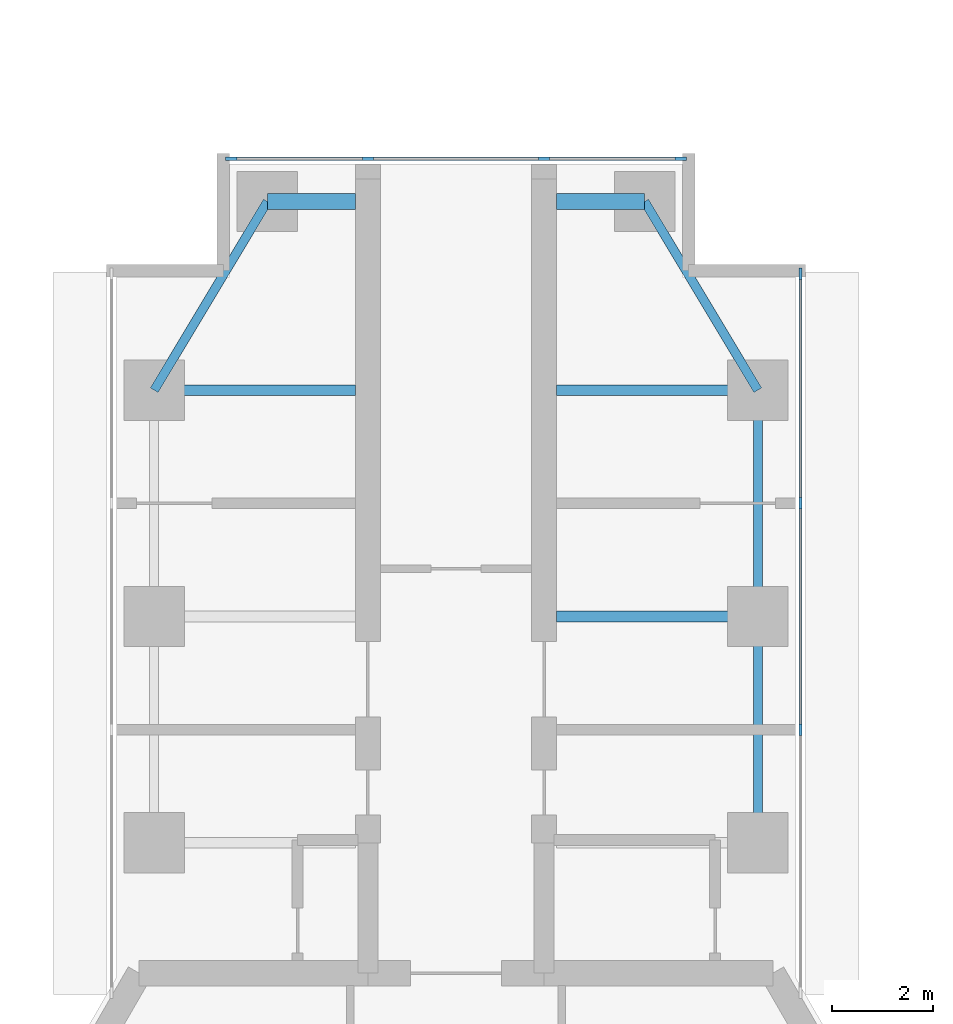
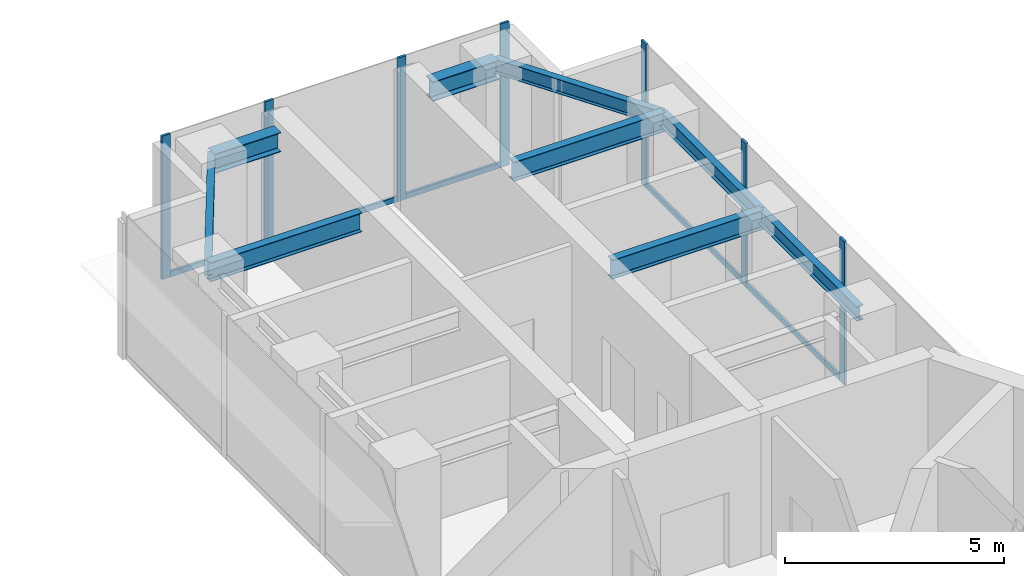
# One storey, part 9 of 17: 12 members, 9 beams, 2 elements without a shape of their own.
"""IFC4 building model written with IfcOpenShell, lengths in metres."""

from ifc_helpers import new_model, si_unit, direction, frame, origin, origin_2d, place, context, subcontext, project, spatial, rectangle, i_section, extrude, material, material_profile, profile_set, type_object, element, aggregate, save


model = new_model("IFC4")

# Units and contexts
model_context = context("Model", 3, precision=1e-05, world=origin(), true_north=direction((0.0, 1.0)))
body_context = subcontext(model_context, "Body", "Model", "MODEL_VIEW")
ifc_project = project(units=[si_unit("LENGTHUNIT", "METRE"), si_unit("AREAUNIT", "SQUARE_METRE"), si_unit("VOLUMEUNIT", "CUBIC_METRE"), si_unit("PLANEANGLEUNIT", "RADIAN"), si_unit("MASSUNIT", "GRAM", prefix="KILO")], contexts=[model_context])

# Site, building, storey
site_placement = place(None, origin())
site = spatial("IfcSite", under=ifc_project, at=site_placement, CompositionType="ELEMENT")
building_placement = place(site_placement, origin())
building = spatial("IfcBuilding", under=site, at=building_placement, Name="Upepo Twin Towers", CompositionType="ELEMENT")
storey_placement = place(building_placement, frame((0.0, 0.0, 190.5)))
storey = spatial("IfcBuildingStorey", under=building, at=storey_placement, Name="L46", CompositionType="ELEMENT", Elevation=190.5)

# Beams
ifc_material_1 = material(Name="Steel S355", Category="steel")
ifc_material_profile_1 = material_profile(ifc_material_1, i_section(OverallWidth=0.177978515625, OverallDepth=0.406494140625, WebThickness=0.0078125, FlangeThickness=0.0126953125, FilletRadius=0.01025390625, at=origin_2d()), Name="UB 406x178x60")
ifc_profile_set_1 = profile_set([ifc_material_profile_1], Name="Steel S355")
beam_type_1 = type_object("IfcBeamType", Name="Beam UB 406x178x60", PredefinedType="BEAM", material=ifc_profile_set_1)
beam_1_placement = place(storey_placement, frame((52.5, 4.5, 3.5966796875), z_axis=(0.514495755428, 0.857492925713, 0.0), x_axis=(-0.857492925713, 0.514495755428, 0.0)))
element("IfcBeam", 1, at=beam_1_placement, inside=storey, type_object=beam_type_1, Name="T2 nose edge beam AL", PredefinedType="BEAM", context=body_context, shape_type="SweptSolid", body=[
    extrude(i_section(OverallWidth=0.177978515625, OverallDepth=0.406494140625, WebThickness=0.0078125, FlangeThickness=0.0126953125, FilletRadius=0.01025390625, at=origin_2d()), origin(), (0.0, 0.0, 1.0), 4.373291015625),
])
for number, where, z_axis, x_axis, name in (
    (2, (64.5, -4.5, 3.5966796875), (0.0, 1.0, 0.0), (-1.0, 0.0, 0.0), "T2 edge beam AR 13.5-18.0"),
    (3, (64.5, 0.0, 3.5966796875), (0.0, 1.0, 0.0), (-1.0, 0.0, 0.0), "T2 edge beam AR 18.0-22.5"),
):
    element("IfcBeam", number, at=place(storey_placement, frame(where, z_axis=z_axis, x_axis=x_axis)), inside=storey, type_object=beam_type_1, Name=name, PredefinedType="BEAM", context=body_context, shape_type="SweptSolid", body=[
        extrude(i_section(OverallWidth=0.177978515625, OverallDepth=0.406494140625, WebThickness=0.0078125, FlangeThickness=0.0126953125, FilletRadius=0.01025390625, at=origin_2d()), origin(), (0.0, 0.0, 1.0), 4.5),
    ])
beam_2_placement = place(storey_placement, frame((64.5, 4.5, 3.5966796875), z_axis=(-0.514495755428, 0.857492925713, 0.0), x_axis=(-0.857492925713, -0.514495755428, 0.0)))
element("IfcBeam", 4, at=beam_2_placement, inside=storey, type_object=beam_type_1, Name="T2 nose edge beam AR", PredefinedType="BEAM", context=body_context, shape_type="SweptSolid", body=[
    extrude(i_section(OverallWidth=0.177978515625, OverallDepth=0.406494140625, WebThickness=0.0078125, FlangeThickness=0.0126953125, FilletRadius=0.01025390625, at=origin_2d()), origin(), (0.0, 0.0, 1.0), 4.373291015625),
])
ifc_material_2 = material(Name="Steel S355", Category="steel")
ifc_material_profile_2 = material_profile(ifc_material_2, i_section(OverallWidth=0.209228515625, OverallDepth=0.533203125, WebThickness=0.010009765625, FlangeThickness=0.015625, FilletRadius=0.0126953125, at=origin_2d()), Name="UB 533x210x92")
ifc_profile_set_2 = profile_set([ifc_material_profile_2], Name="Steel S355")
beam_type_2 = type_object("IfcBeamType", Name="Beam UB 533x210x92", PredefinedType="BEAM", material=ifc_profile_set_2)
for number, where, z_axis, x_axis, name in (
    (5, (52.5, 4.5, 3.533447265625), (1.0, 0.0, 0.0), (0.0, 1.0, 0.0), "T2 girder AL at 22.5"),
    (6, (64.5, 0.0, 3.533447265625), (-1.0, 0.0, 0.0), (0.0, -1.0, 0.0), "T2 girder AR at 18.0"),
    (7, (64.5, 4.5, 3.533447265625), (-1.0, 0.0, 0.0), (0.0, -1.0, 0.0), "T2 girder AR at 22.5"),
):
    element("IfcBeam", number, at=place(storey_placement, frame(where, z_axis=z_axis, x_axis=x_axis)), inside=storey, type_object=beam_type_2, Name=name, PredefinedType="BEAM", context=body_context, shape_type="SweptSolid", body=[
        extrude(i_section(OverallWidth=0.209228515625, OverallDepth=0.533203125, WebThickness=0.010009765625, FlangeThickness=0.015625, FilletRadius=0.0126953125, at=origin_2d()), origin(), (0.0, 0.0, 1.0), 4.0),
    ])
ifc_material_3 = material(Name="Steel S355", Category="steel")
ifc_material_profile_3 = material_profile(ifc_material_3, i_section(OverallWidth=0.31201171875, OverallDepth=0.54345703125, WebThickness=0.0126953125, FlangeThickness=0.020263671875, FilletRadius=0.0126953125, at=origin_2d()), Name="UB 533x312x150")
ifc_profile_set_3 = profile_set([ifc_material_profile_3], Name="Steel S355")
beam_type_3 = type_object("IfcBeamType", Name="Beam UB 533x312x150", PredefinedType="BEAM", material=ifc_profile_set_3)
for number, where, z_axis, x_axis, name in (
    (8, (54.75, 8.25, 3.5283203125), (1.0, 0.0, 0.0), (0.0, 1.0, 0.0), "T2 nose beam AL"),
    (9, (62.25, 8.25, 3.5283203125), (-1.0, 0.0, 0.0), (0.0, -1.0, 0.0), "T2 nose beam AR"),
):
    element("IfcBeam", number, at=place(storey_placement, frame(where, z_axis=z_axis, x_axis=x_axis)), inside=storey, type_object=beam_type_3, Name=name, PredefinedType="BEAM", context=body_context, shape_type="SweptSolid", body=[
        extrude(i_section(OverallWidth=0.31201171875, OverallDepth=0.54345703125, WebThickness=0.0126953125, FlangeThickness=0.020263671875, FilletRadius=0.0126953125, at=origin_2d()), origin(), (0.0, 0.0, 1.0), 1.75),
    ])

# Curtain wall, members
ifc_material_4 = material(Name="Aluminium and fritted glass", Category="aluminium")
curtain_wall_type = type_object("IfcCurtainWallType", Name="Tower curtain wall TW3, fritted glass", PredefinedType="NOTDEFINED", material=ifc_material_4)
curtain_wall_1_placement = place(storey_placement, origin())
curtain_wall_1 = element("IfcCurtainWall", 10, at=curtain_wall_1_placement, inside=storey, type_object=curtain_wall_type, Name="T2 L46 wing A flank R curtain wall", PredefinedType="NOTDEFINED")
ifc_material_5 = material(Name="Aluminium mullion", Category="aluminium")
ifc_material_profile_4 = material_profile(ifc_material_5, rectangle(XDim=0.06494140625, YDim=0.22509765625, at=origin_2d()), Name="MULLION 65x225")
ifc_profile_set_4 = profile_set([ifc_material_profile_4], Name="Aluminium mullion")
member_type_1 = type_object("IfcMemberType", Name="Mullion 65x225 TW3", PredefinedType="MULLION", material=ifc_profile_set_4)
member_1_placement = place(storey_placement, frame((65.35009765625, 6.8173828125, 0.0), z_axis=(0.0, 0.0, 1.0), x_axis=(1.0, 0.0, 0.0)))
member_1 = element("IfcMember", 11, at=member_1_placement, type_object=member_type_1, Name="T2 L46 wing A flank R curtain wall mullion 1", PredefinedType="MULLION", context=body_context, shape_type="SweptSolid", body=[
    extrude(rectangle(XDim=0.06494140625, YDim=0.22509765625, at=origin_2d()), origin(), (0.0, 0.0, 1.0), 4.0),
])
member_2_placement = place(storey_placement, frame((65.35009765625, 2.25, 0.0), z_axis=(0.0, 0.0, 1.0), x_axis=(1.0, 0.0, 0.0)))
member_2 = element("IfcMember", 12, at=member_2_placement, type_object=member_type_1, Name="T2 L46 wing A flank R curtain wall mullion 2", PredefinedType="MULLION", context=body_context, shape_type="SweptSolid", body=[
    extrude(rectangle(XDim=0.06494140625, YDim=0.22509765625, at=origin_2d()), origin(), (0.0, 0.0, 1.0), 4.0),
])
member_3_placement = place(storey_placement, frame((65.35009765625, -2.25, 0.0), z_axis=(0.0, 0.0, 1.0), x_axis=(1.0, 0.0, 0.0)))
member_3 = element("IfcMember", 13, at=member_3_placement, type_object=member_type_1, Name="T2 L46 wing A flank R curtain wall mullion 3", PredefinedType="MULLION", context=body_context, shape_type="SweptSolid", body=[
    extrude(rectangle(XDim=0.06494140625, YDim=0.22509765625, at=origin_2d()), origin(), (0.0, 0.0, 1.0), 4.0),
])

curtain_wall_2_placement = place(storey_placement, origin())
curtain_wall_2 = element("IfcCurtainWall", 14, at=curtain_wall_2_placement, inside=storey, type_object=curtain_wall_type, Name="T2 L46 wing A nose curtain wall", PredefinedType="NOTDEFINED")
member_4_placement = place(storey_placement, frame((62.967529296875, 9.10009765625, 0.0), z_axis=(0.0, 0.0, 1.0), x_axis=(0.0, -1.0, 0.0)))
member_4 = element("IfcMember", 15, at=member_4_placement, type_object=member_type_1, Name="T2 L46 wing A nose curtain wall mullion 1", PredefinedType="MULLION", context=body_context, shape_type="SweptSolid", body=[
    extrude(rectangle(XDim=0.06494140625, YDim=0.22509765625, at=origin_2d()), origin(), (0.0, 0.0, 1.0), 4.0),
])
member_5_placement = place(storey_placement, frame((60.25, 9.10009765625, 0.0), z_axis=(0.0, 0.0, 1.0), x_axis=(0.0, -1.0, 0.0)))
member_5 = element("IfcMember", 16, at=member_5_placement, type_object=member_type_1, Name="T2 L46 wing A nose curtain wall mullion 2", PredefinedType="MULLION", context=body_context, shape_type="SweptSolid", body=[
    extrude(rectangle(XDim=0.06494140625, YDim=0.22509765625, at=origin_2d()), origin(), (0.0, 0.0, 1.0), 4.0),
])
member_6_placement = place(storey_placement, frame((56.75, 9.10009765625, 0.0), z_axis=(0.0, 0.0, 1.0), x_axis=(0.0, -1.0, 0.0)))
member_6 = element("IfcMember", 17, at=member_6_placement, type_object=member_type_1, Name="T2 L46 wing A nose curtain wall mullion 3", PredefinedType="MULLION", context=body_context, shape_type="SweptSolid", body=[
    extrude(rectangle(XDim=0.06494140625, YDim=0.22509765625, at=origin_2d()), origin(), (0.0, 0.0, 1.0), 4.0),
])
member_7_placement = place(storey_placement, frame((54.032470703125, 9.10009765625, 0.0), z_axis=(0.0, 0.0, 1.0), x_axis=(0.0, -1.0, 0.0)))
member_7 = element("IfcMember", 18, at=member_7_placement, type_object=member_type_1, Name="T2 L46 wing A nose curtain wall mullion 4", PredefinedType="MULLION", context=body_context, shape_type="SweptSolid", body=[
    extrude(rectangle(XDim=0.06494140625, YDim=0.22509765625, at=origin_2d()), origin(), (0.0, 0.0, 1.0), 4.0),
])

# Member
ifc_material_6 = material(Name="Aluminium transom", Category="aluminium")
ifc_material_profile_5 = material_profile(ifc_material_6, rectangle(XDim=0.06494140625, YDim=0.14990234375, at=origin_2d()), Name="TRANSOM 65x150")
ifc_profile_set_5 = profile_set([ifc_material_profile_5], Name="Aluminium transom")
member_type_2 = type_object("IfcMemberType", Name="Transom 65x150 TW3", PredefinedType="USERDEFINED", material=ifc_profile_set_5)
member_8_placement = place(storey_placement, frame((65.35009765625, 6.784912109375, 0.074951171875), z_axis=(0.0, -1.0, 0.0), x_axis=(1.0, 0.0, 0.0)))
member_8 = element("IfcMember", 19, at=member_8_placement, type_object=member_type_2, Name="T2 L46 wing A flank R curtain wall transom 1", ObjectType="TRANSOM", PredefinedType="USERDEFINED", context=body_context, shape_type="SweptSolid", body=[
    extrude(rectangle(XDim=0.06494140625, YDim=0.14990234375, at=origin_2d()), origin(), (0.0, 0.0, 1.0), 4.50244140625),
])

member_9_placement = place(storey_placement, frame((65.35009765625, 2.217529296875, 0.074951171875), z_axis=(0.0, -1.0, 0.0), x_axis=(1.0, 0.0, 0.0)))
member_9 = element("IfcMember", 20, at=member_9_placement, type_object=member_type_2, Name="T2 L46 wing A flank R curtain wall transom 2", ObjectType="TRANSOM", PredefinedType="USERDEFINED", context=body_context, shape_type="SweptSolid", body=[
    extrude(rectangle(XDim=0.06494140625, YDim=0.14990234375, at=origin_2d()), origin(), (0.0, 0.0, 1.0), 4.43505859375),
])

aggregate(curtain_wall_1, [member_1, member_2, member_3, member_8, member_9])

member_10_placement = place(storey_placement, frame((62.93505859375, 9.10009765625, 0.074951171875), z_axis=(-1.0, 0.0, 0.0), x_axis=(0.0, -1.0, 0.0)))
member_10 = element("IfcMember", 21, at=member_10_placement, type_object=member_type_2, Name="T2 L46 wing A nose curtain wall transom 1", ObjectType="TRANSOM", PredefinedType="USERDEFINED", context=body_context, shape_type="SweptSolid", body=[
    extrude(rectangle(XDim=0.06494140625, YDim=0.14990234375, at=origin_2d()), origin(), (0.0, 0.0, 1.0), 2.652587890625),
])

member_11_placement = place(storey_placement, frame((60.217529296875, 9.10009765625, 0.074951171875), z_axis=(-1.0, 0.0, 0.0), x_axis=(0.0, -1.0, 0.0)))
member_11 = element("IfcMember", 22, at=member_11_placement, type_object=member_type_2, Name="T2 L46 wing A nose curtain wall transom 2", ObjectType="TRANSOM", PredefinedType="USERDEFINED", context=body_context, shape_type="SweptSolid", body=[
    extrude(rectangle(XDim=0.06494140625, YDim=0.14990234375, at=origin_2d()), origin(), (0.0, 0.0, 1.0), 3.43505859375),
])

member_12_placement = place(storey_placement, frame((56.717529296875, 9.10009765625, 0.074951171875), z_axis=(-1.0, 0.0, 0.0), x_axis=(0.0, -1.0, 0.0)))
member_12 = element("IfcMember", 23, at=member_12_placement, type_object=member_type_2, Name="T2 L46 wing A nose curtain wall transom 3", ObjectType="TRANSOM", PredefinedType="USERDEFINED", context=body_context, shape_type="SweptSolid", body=[
    extrude(rectangle(XDim=0.06494140625, YDim=0.14990234375, at=origin_2d()), origin(), (0.0, 0.0, 1.0), 2.652587890625),
])

aggregate(curtain_wall_2, [member_4, member_5, member_6, member_7, member_10, member_11, member_12])

save(model, "model.ifc")
